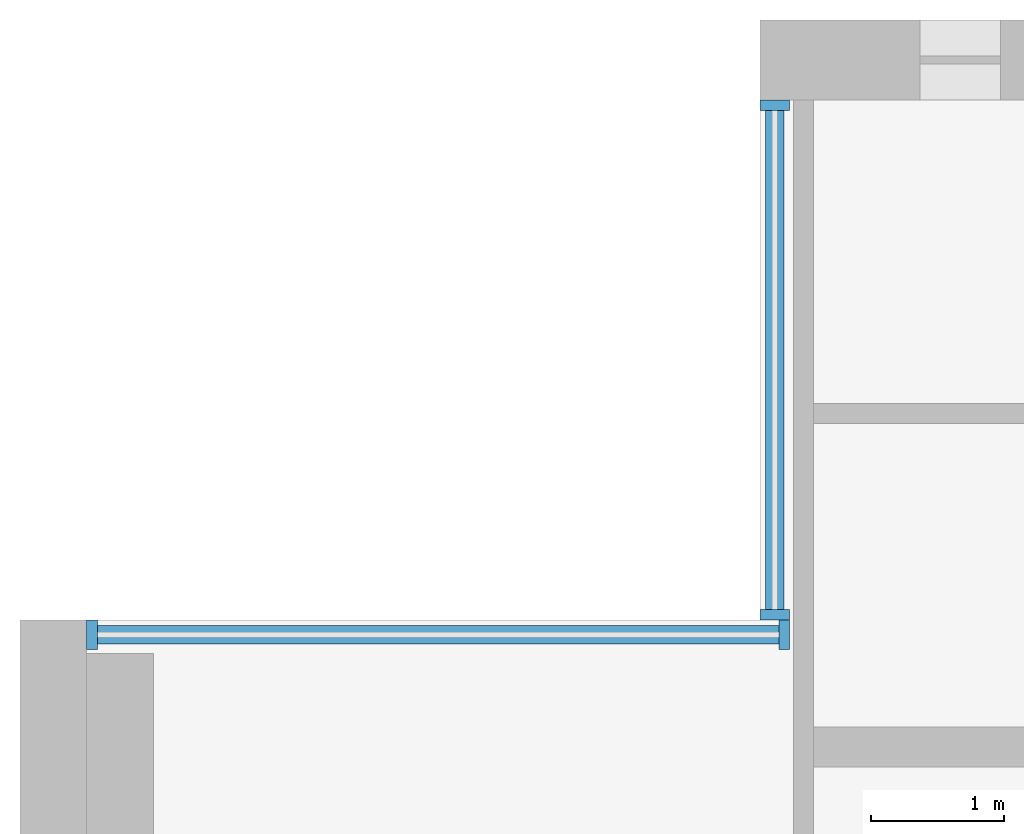
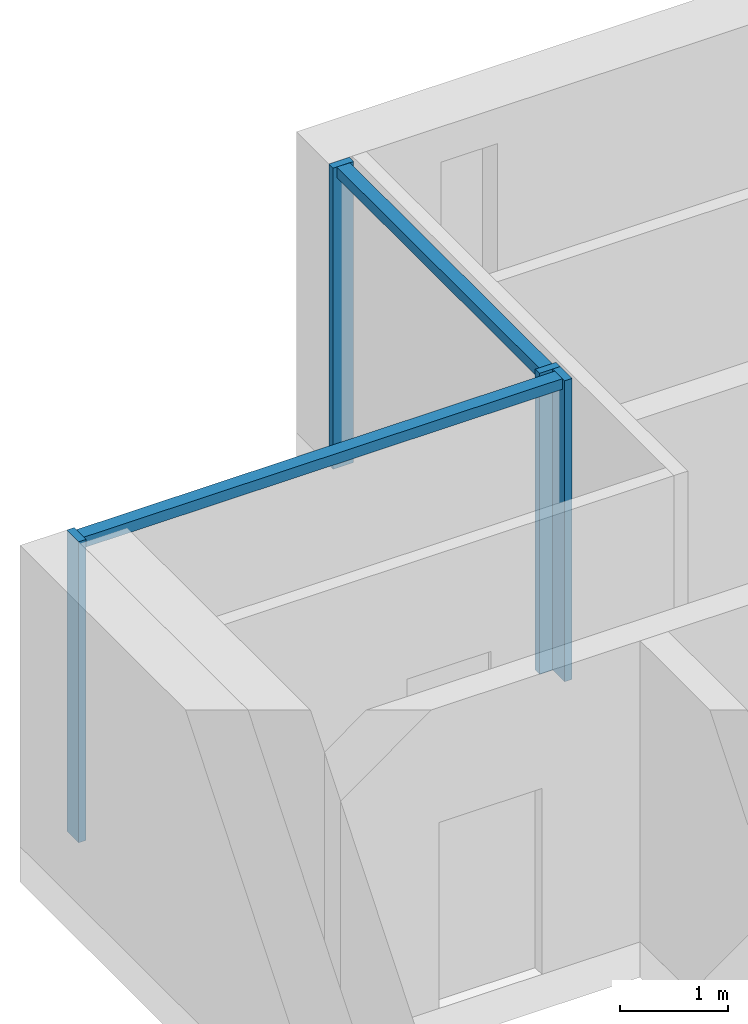
# One storey, part 4 of 14: 6 members, 2 elements without a shape of their own.
"""IFC4 building model written with IfcOpenShell, lengths in metres."""

from ifc_helpers import new_model, si_unit, direction, frame, origin, origin_2d, place, context, subcontext, project, spatial, rectangle, extrude, material, material_profile, profile_set, type_object, element, aggregate, save


model = new_model("IFC4")

# Units and contexts
model_context = context("Model", 3, precision=1e-05, world=origin(), true_north=direction((0.0, 1.0)))
body_context = subcontext(model_context, "Body", "Model", "MODEL_VIEW")
ifc_project = project(units=[si_unit("LENGTHUNIT", "METRE"), si_unit("AREAUNIT", "SQUARE_METRE"), si_unit("VOLUMEUNIT", "CUBIC_METRE"), si_unit("PLANEANGLEUNIT", "RADIAN"), si_unit("MASSUNIT", "GRAM", prefix="KILO")], contexts=[model_context])

# Site, building, storey
site_placement = place(None, origin())
site = spatial("IfcSite", under=ifc_project, at=site_placement, CompositionType="ELEMENT")
building_placement = place(site_placement, origin())
building = spatial("IfcBuilding", under=site, at=building_placement, Name="Calvaro Tower", CompositionType="ELEMENT")
storey_placement = place(building_placement, frame((0.0, 0.0, 246.949951171875)))
storey = spatial("IfcBuildingStorey", under=building, at=storey_placement, Name="L62", CompositionType="ELEMENT", Elevation=246.949951171875)

# Curtain wall, members
ifc_material_1 = material(Name="Anodised aluminium", Category="aluminium")
curtain_wall_type = type_object("IfcCurtainWallType", Name="Executive curtain wall", PredefinedType="NOTDEFINED", material=ifc_material_1)
curtain_wall_1_placement = place(storey_placement, origin())
curtain_wall_1 = element("IfcCurtainWall", 1, at=curtain_wall_1_placement, inside=storey, type_object=curtain_wall_type, Name="CW4 corner curtain wall", PredefinedType="NOTDEFINED")
ifc_material_2 = material(Name="Anodised aluminium", Category="aluminium")
ifc_material_profile_1 = material_profile(ifc_material_2, rectangle(XDim=0.219970703125, YDim=0.080078125, at=origin_2d()), Name="Mullion S4 80 x 220")
ifc_profile_set_1 = profile_set([ifc_material_profile_1], Name="Anodised aluminium")
member_type_1 = type_object("IfcMemberType", Name="Mullion S4 80 x 220", PredefinedType="MULLION", material=ifc_profile_set_1)
member_1_placement = place(storey_placement, frame((11.659912109375, 41.5400390625, 0.0), z_axis=(0.0, 0.0, 1.0), x_axis=(-1.0, 0.0, 0.0)))
member_1 = element("IfcMember", 2, at=member_1_placement, type_object=member_type_1, Name="CW4 mullion 1", PredefinedType="MULLION", context=body_context, shape_type="SweptSolid", body=[
    extrude(rectangle(XDim=0.219970703125, YDim=0.080078125, at=origin_2d()), origin(), (0.0, 0.0, 1.0), 3.400146484375),
])
member_2_placement = place(storey_placement, frame((11.659912109375, 45.360107421875, 0.0), z_axis=(0.0, 0.0, 1.0), x_axis=(-1.0, 0.0, 0.0)))
member_2 = element("IfcMember", 3, at=member_2_placement, type_object=member_type_1, Name="CW4 mullion 2", PredefinedType="MULLION", context=body_context, shape_type="SweptSolid", body=[
    extrude(rectangle(XDim=0.219970703125, YDim=0.080078125, at=origin_2d()), origin(), (0.0, 0.0, 1.0), 3.400146484375),
])

curtain_wall_2_placement = place(storey_placement, origin())
curtain_wall_2 = element("IfcCurtainWall", 4, at=curtain_wall_2_placement, inside=storey, type_object=curtain_wall_type, Name="CW4 corner curtain wall", PredefinedType="NOTDEFINED")
member_3_placement = place(storey_placement, frame((6.5400390625, 41.389892578125, 0.0), z_axis=(0.0, 0.0, 1.0), x_axis=(0.0, 1.0, 0.0)))
member_3 = element("IfcMember", 5, at=member_3_placement, type_object=member_type_1, Name="CW4 mullion 1", PredefinedType="MULLION", context=body_context, shape_type="SweptSolid", body=[
    extrude(rectangle(XDim=0.219970703125, YDim=0.080078125, at=origin_2d()), origin(), (0.0, 0.0, 1.0), 3.400146484375),
])
member_4_placement = place(storey_placement, frame((11.72998046875, 41.389892578125, 0.0), z_axis=(0.0, 0.0, 1.0), x_axis=(0.0, 1.0, 0.0)))
member_4 = element("IfcMember", 6, at=member_4_placement, type_object=member_type_1, Name="CW4 mullion 2", PredefinedType="MULLION", context=body_context, shape_type="SweptSolid", body=[
    extrude(rectangle(XDim=0.219970703125, YDim=0.080078125, at=origin_2d()), origin(), (0.0, 0.0, 1.0), 3.400146484375),
])

# Member
ifc_material_3 = material(Name="Anodised aluminium", Category="aluminium")
ifc_material_profile_2 = material_profile(ifc_material_3, rectangle(XDim=0.139892578125, YDim=0.1201171875, at=origin_2d()), Name="Transom S4 120 x 140")
ifc_profile_set_2 = profile_set([ifc_material_profile_2], Name="Anodised aluminium")
member_type_2 = type_object("IfcMemberType", Name="Transom S4 120 x 140", PredefinedType="USERDEFINED", material=ifc_profile_set_2)
member_5_placement = place(storey_placement, frame((11.659912109375, 41.580078125, 3.340087890625), z_axis=(0.0, 1.0, 0.0), x_axis=(-1.0, 0.0, 0.0)))
member_5 = element("IfcMember", 7, at=member_5_placement, type_object=member_type_2, Name="CW4 transom 1.1", ObjectType="TRANSOM", PredefinedType="USERDEFINED", context=body_context, shape_type="SweptSolid", body=[
    extrude(rectangle(XDim=0.139892578125, YDim=0.1201171875, at=origin_2d()), origin(), (0.0, 0.0, 1.0), 3.739990234375),
])

aggregate(curtain_wall_1, [member_1, member_2, member_5])

member_6_placement = place(storey_placement, frame((6.580078125, 41.389892578125, 3.340087890625), z_axis=(1.0, 0.0, 0.0), x_axis=(0.0, 1.0, 0.0)))
member_6 = element("IfcMember", 8, at=member_6_placement, type_object=member_type_2, Name="CW4 transom 1.1", ObjectType="TRANSOM", PredefinedType="USERDEFINED", context=body_context, shape_type="SweptSolid", body=[
    extrude(rectangle(XDim=0.139892578125, YDim=0.1201171875, at=origin_2d()), origin(), (0.0, 0.0, 1.0), 5.10986328125),
])

aggregate(curtain_wall_2, [member_3, member_4, member_6])

save(model, "model.ifc")
